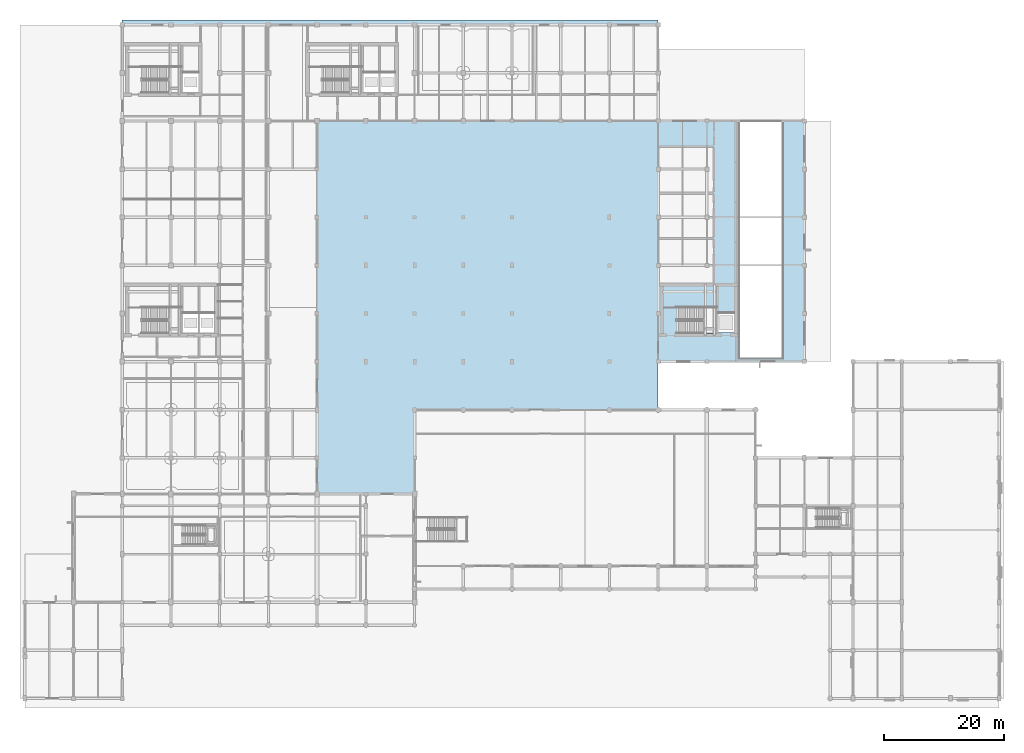
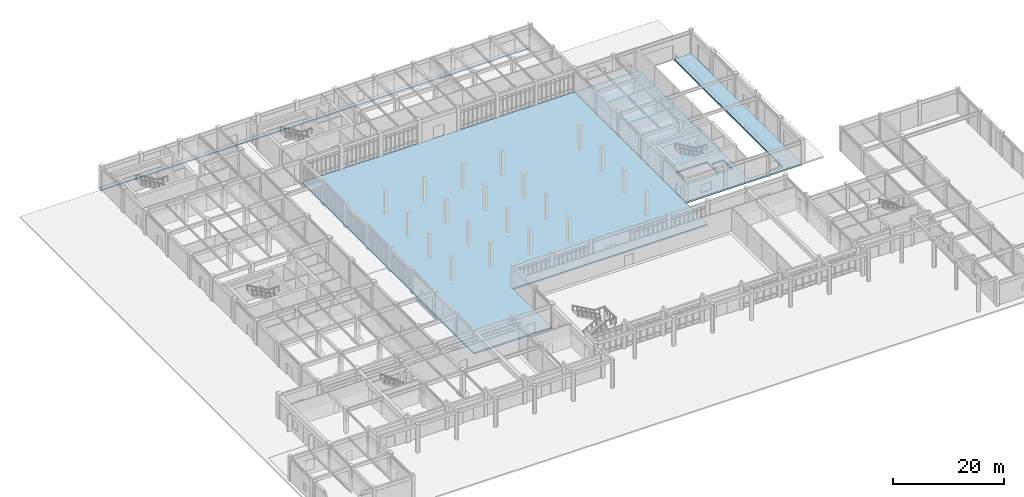
# One storey, part 37 of 62: 3 slabs.
"""IFC4 building model written with IfcOpenShell, lengths in metres."""

import ifcopenshell
import ifcopenshell.guid

model = None  # the IFC model being written
_history = None  # IfcOwnerHistory: only IFC2X3 demands one
_inside = {}  # id of a spatial element -> (the spatial element, [elements in it])
_under = {}  # id of a project, library or spatial element -> (it, [spatial elements below it])
_declared = {}  # id of a project -> (the project, [libraries it declares])
_typed = {}  # id of a type object -> (the type object, [elements of that type])
_made_of = {}  # id of a material, layer set ... -> (it, [elements and type objects made of it])


def new_model(schema):
    """Start an empty IFC model of exactly this schema.

    Asked for "IFC4X3", IfcOpenShell would pick the latest addendum, in which some entities
    have other attributes; the version numbers below select the first issue.
    IFC2X3 requires an IfcOwnerHistory on every rooted entity: one is made here for all.
    """
    global model, _history
    if schema == "IFC4X3":
        model = ifcopenshell.file(schema_version=(4, 3, 0, 0))
    else:
        model = ifcopenshell.file(schema=schema)
    _inside.clear()
    _under.clear()
    _declared.clear()
    _typed.clear()
    _made_of.clear()
    _history = None
    if model.schema == "IFC2X3":
        org = make("IfcOrganization", Name="unknown")
        user = make(
            "IfcPersonAndOrganization",
            ThePerson=make("IfcPerson", FamilyName="unknown"),
            TheOrganization=org,
        )
        app = make(
            "IfcApplication",
            ApplicationDeveloper=org,
            Version="unknown",
            ApplicationFullName="unknown",
            ApplicationIdentifier="unknown",
        )
        _history = make(
            "IfcOwnerHistory",
            OwningUser=user,
            OwningApplication=app,
            ChangeAction="ADDED",
            CreationDate=0,
        )
    return model


def make(cls, **values):
    """One entity of the class cls with the attributes given. An attribute that is None is left unset."""
    return model.create_entity(
        cls, **{name: value for name, value in values.items() if value is not None}
    )


def rooted(cls, **values):
    """An entity with a GlobalId (a new one), such as an element, a storey or a relation."""
    return make(cls, GlobalId=ifcopenshell.guid.new(), OwnerHistory=_history, **values)


def si_unit(unit_type, name, prefix=None):
    """IfcSIUnit, for example si_unit("LENGTHUNIT", "METRE", prefix="MILLI")."""
    return make("IfcSIUnit", UnitType=unit_type, Prefix=prefix, Name=name)


def assignment(units):
    """IfcUnitAssignment: the units of a project."""
    return None if units is None else make("IfcUnitAssignment", Units=units)


def point(xyz):
    """IfcCartesianPoint."""
    return None if xyz is None else make("IfcCartesianPoint", Coordinates=xyz)


def direction(xyz):
    """IfcDirection."""
    return None if xyz is None else make("IfcDirection", DirectionRatios=xyz)


def frame(location, z_axis=None, x_axis=None):
    """IfcAxis2Placement3D, a coordinate frame: its origin and axes. An axis left out is left unset."""
    return make(
        "IfcAxis2Placement3D",
        Location=point(location),
        Axis=direction(z_axis),
        RefDirection=direction(x_axis),
    )


def origin():
    """The frame at (0, 0, 0) with its axes left unset."""
    return frame((0.0, 0.0, 0.0))


def place(relative_to, where):
    """IfcLocalPlacement: puts the frame where relative to a parent placement (None: the world)."""
    return make(
        "IfcLocalPlacement", PlacementRelTo=relative_to, RelativePlacement=where
    )


def context(
    kind, dimensions, precision=None, world=None, true_north=None, identifier=None
):
    """IfcGeometricRepresentationContext, for example the 3D "Model" context."""
    return make(
        "IfcGeometricRepresentationContext",
        ContextIdentifier=identifier,
        ContextType=kind,
        CoordinateSpaceDimension=dimensions,
        Precision=precision,
        WorldCoordinateSystem=world,
        TrueNorth=true_north,
    )


def subcontext(parent, identifier, kind, view, scale=None):
    """IfcGeometricRepresentationSubContext, for example "Body" below "Model"."""
    return make(
        "IfcGeometricRepresentationSubContext",
        ContextIdentifier=identifier,
        ContextType=kind,
        ParentContext=parent,
        TargetScale=scale,
        TargetView=view,
    )


def project(units=None, contexts=None):
    """IfcProject with its units and contexts."""
    return rooted(
        "IfcProject",
        Name="project",
        RepresentationContexts=contexts,
        UnitsInContext=assignment(units),
    )


def spatial(cls, under=None, at=None, **own):
    """A site, building, storey or space (cls), placed at a placement, below another one or the project."""
    s = rooted(cls, ObjectPlacement=at, **own)
    if under is not None:
        _under.setdefault(under.id(), (under, []))[1].append(s)
    return s


def polyline(points):
    """IfcPolyline through the points."""
    return make("IfcPolyline", Points=[point(p) for p in points])


def outline(outer, holes=None, kind="AREA"):
    """IfcArbitraryClosedProfileDef: a profile drawn as a closed curve; with holes, ...WithVoids."""
    if holes is None:
        return make("IfcArbitraryClosedProfileDef", ProfileType=kind, OuterCurve=outer)
    return make(
        "IfcArbitraryProfileDefWithVoids",
        ProfileType=kind,
        OuterCurve=outer,
        InnerCurves=holes,
    )


def extrude(swept, where, along, depth):
    """IfcExtrudedAreaSolid: the profile swept, set in the frame where, extruded along a direction by depth."""
    return make(
        "IfcExtrudedAreaSolid",
        SweptArea=swept,
        Position=where,
        ExtrudedDirection=direction(along),
        Depth=depth,
    )


def shape(context_of_items, identifier, shape_type, items):
    """IfcShapeRepresentation: the items that make up one representation, for example the "Body"."""
    return make(
        "IfcShapeRepresentation",
        ContextOfItems=context_of_items,
        RepresentationIdentifier=identifier,
        RepresentationType=shape_type,
        Items=items,
    )


def material(Name=None, Category=None):
    """IfcMaterial."""
    return make("IfcMaterial", Name=Name, Category=Category)


def layer(
    of_material, thickness, ventilated=None, Name=None, Category=None, Priority=None
):
    """IfcMaterialLayer: one layer of a wall or slab, of a material (None: an air gap)."""
    return make(
        "IfcMaterialLayer",
        Material=of_material,
        LayerThickness=thickness,
        IsVentilated=ventilated,
        Name=Name,
        Category=Category,
        Priority=Priority,
    )


def layer_set(layers, Name=None):
    """IfcMaterialLayerSet."""
    return make("IfcMaterialLayerSet", MaterialLayers=layers, LayerSetName=Name)


def made_of(thing, what):
    """Note that an element or type object is made of a material, layer set ...; save() writes the relation."""
    if what is not None:
        _made_of.setdefault(what.id(), (what, []))[1].append(thing)
    return thing


def type_object(cls, material=None, **own):
    """A type object (cls), such as IfcWallType, which elements share."""
    return made_of(rooted(cls, **own), material)


def element(
    cls,
    number,
    at=None,
    inside=None,
    cuts=None,
    type_object=None,
    material=None,
    context=None,
    identifier="Body",
    shape_type=None,
    held_by="IfcProductDefinitionShape",
    body=None,
    shapes=None,
    **own,
):
    """One element of the class cls, such as IfcWall. Its Tag is "e" and its number.

    at: its placement. inside: the storey or other place that contains it. cuts: it is an
    opening in that element (IfcRelVoidsElement). A single representation is given by context,
    identifier, shape_type and body (its items); several are given by shapes. held_by: the class
    of the entity that holds the representations. save() writes the other relations.
    """
    e = rooted(cls, Tag="e%d" % number, ObjectPlacement=at, **own)
    if body is not None:
        shapes = [shape(context, identifier, shape_type, body)]
    if shapes is not None:
        e.Representation = make(held_by, Representations=shapes)
    if inside is not None:
        _inside.setdefault(inside.id(), (inside, []))[1].append(e)
    if cuts is not None:
        rooted(
            "IfcRelVoidsElement", RelatingBuildingElement=cuts, RelatedOpeningElement=e
        )
    if type_object is not None:
        _typed.setdefault(type_object.id(), (type_object, []))[1].append(e)
    return made_of(e, material)


def aggregate(whole, parts):
    """IfcRelAggregates: a whole, such as a stair, and the parts it consists of."""
    return rooted("IfcRelAggregates", RelatingObject=whole, RelatedObjects=parts)


def save(model, path):
    """Write the relations noted so far, then the file.

    IfcRelAggregates (storeys below a building ...), IfcRelContainedInSpatialStructure (elements
    in a storey), IfcRelDefinesByType, IfcRelAssociatesMaterial and IfcRelDeclares: one each for
    every whole, place, type object, material and project.
    """
    for whole, parts in _under.values():
        aggregate(whole, parts)
    for where, things in _inside.values():
        rooted(
            "IfcRelContainedInSpatialStructure",
            RelatedElements=things,
            RelatingStructure=where,
        )
    for kind, things in _typed.values():
        rooted("IfcRelDefinesByType", RelatedObjects=things, RelatingType=kind)
    for what, things in _made_of.values():
        rooted("IfcRelAssociatesMaterial", RelatedObjects=things, RelatingMaterial=what)
    for by, libraries in _declared.values():
        rooted("IfcRelDeclares", RelatingContext=by, RelatedDefinitions=libraries)
    model.write(path)


model = new_model("IFC4")

# Units and contexts
model_context = context("Model", 3, precision=1e-05, world=origin(), true_north=direction((0.0, 1.0)))
body_context = subcontext(model_context, "Body", "Model", "MODEL_VIEW")
ifc_project = project(units=[si_unit("LENGTHUNIT", "METRE"), si_unit("AREAUNIT", "SQUARE_METRE"), si_unit("VOLUMEUNIT", "CUBIC_METRE"), si_unit("PLANEANGLEUNIT", "RADIAN"), si_unit("MASSUNIT", "GRAM", prefix="KILO")], contexts=[model_context])

# Site, building, storey
site_placement = place(None, origin())
site = spatial("IfcSite", under=ifc_project, at=site_placement, CompositionType="ELEMENT")
building_placement = place(site_placement, origin())
building = spatial("IfcBuilding", under=site, at=building_placement, Name="Tarnveldt Square Police Headquarters", CompositionType="ELEMENT")
storey_placement = place(building_placement, origin())
storey = spatial("IfcBuildingStorey", under=building, at=storey_placement, Name="L00", CompositionType="ELEMENT", Elevation=0.0)

# Slabs
ifc_material = material(Name="Concrete 40 MPa", Category="concrete")
ifc_layer_1 = layer(ifc_material, 0.2900390625)
ifc_layer_set_1 = layer_set([ifc_layer_1], Name="Concrete 40 MPa")
slab_type_1 = type_object("IfcSlabType", Name="SL-APRON-290", PredefinedType="FLOOR", material=ifc_layer_set_1)
slab_1_placement = place(storey_placement, frame((0.0, 0.0, -0.2900390625)))
element("IfcSlab", 1, at=slab_1_placement, inside=storey, type_object=slab_type_1, Name="Exterior Civic Plaza Paving SLB-EXT-WALK-N-1", PredefinedType="FLOOR", context=body_context, shape_type="SweptSolid", body=[
    extrude(outline(polyline([(16.199951171875, 112.800048828125), (105.300048828125, 112.800048828125), (105.300048828125, 112.0), (48.60009765625, 112.0), (46.199951171875, 112.0), (40.5, 112.0), (16.199951171875, 112.0), (16.199951171875, 112.800048828125)])), origin(), (0.0, 0.0, 1.0), 0.2900390625),
])
slab_2_placement = place(storey_placement, frame((0.0, 0.0, -0.2900390625)))
element("IfcSlab", 2, at=slab_2_placement, inside=storey, type_object=slab_type_1, Name="Exterior Civic Plaza Paving SLB-EXT-COURT-1", PredefinedType="FLOOR", context=body_context, shape_type="SweptSolid", body=[
    extrude(outline(polyline([(105.300048828125, 48.0), (64.800048828125, 48.0), (64.800048828125, 34.0), (48.60009765625, 34.0), (48.60009765625, 96.0), (105.300048828125, 96.0), (105.300048828125, 56.0), (105.300048828125, 48.0)])), origin(), (0.0, 0.0, 1.0), 0.2900390625),
])
ifc_layer_2 = layer(ifc_material, 0.35009765625)
ifc_layer_set_2 = layer_set([ifc_layer_2], Name="Concrete 40 MPa")
slab_type_2 = type_object("IfcSlabType", Name="SL-L00-350", PredefinedType="FLOOR", material=ifc_layer_set_2)
slab_3_placement = place(storey_placement, frame((0.0, 0.0, -0.35009765625)))
element("IfcSlab", 3, at=slab_3_placement, inside=storey, type_object=slab_type_2, Name="L00 Structural Floor Slab L00-V7-1", PredefinedType="FLOOR", context=body_context, shape_type="SweptSolid", body=[
    extrude(outline(polyline([(118.800048828125, 96.0), (118.800048828125, 56.719970703125), (126.0, 56.719970703125), (126.0, 96.0), (129.60009765625, 96.0), (129.60009765625, 56.0), (105.300048828125, 56.0), (105.300048828125, 96.0), (118.800048828125, 96.0)]), holes=[polyline([(115.330078125, 64.050048828125), (115.330078125, 60.85009765625), (117.8798828125, 60.85009765625), (117.8798828125, 64.050048828125), (115.330078125, 64.050048828125)]), polyline([(108.510009765625, 65.02001953125), (108.510009765625, 60.719970703125), (114.969970703125, 60.719970703125), (114.969970703125, 65.02001953125), (108.510009765625, 65.02001953125)])]), origin(), (0.0, 0.0, 1.0), 0.35009765625),
])

save(model, "model.ifc")
